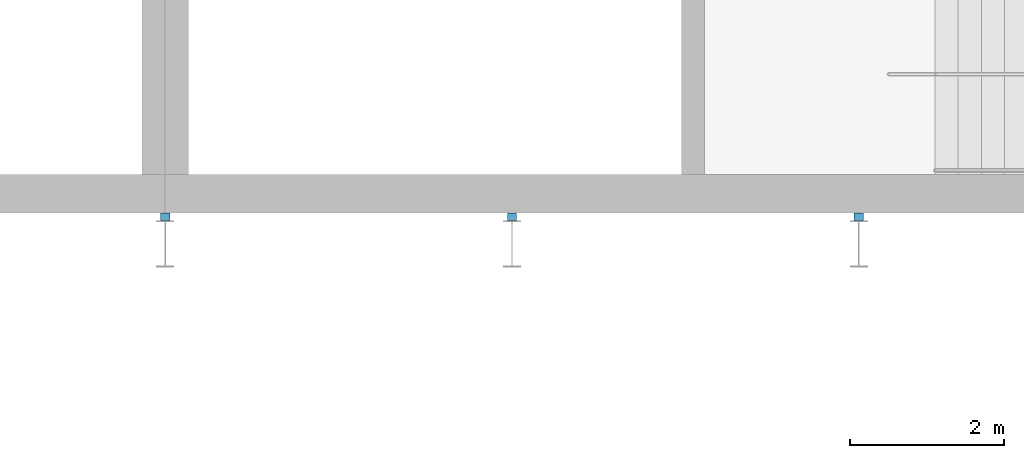
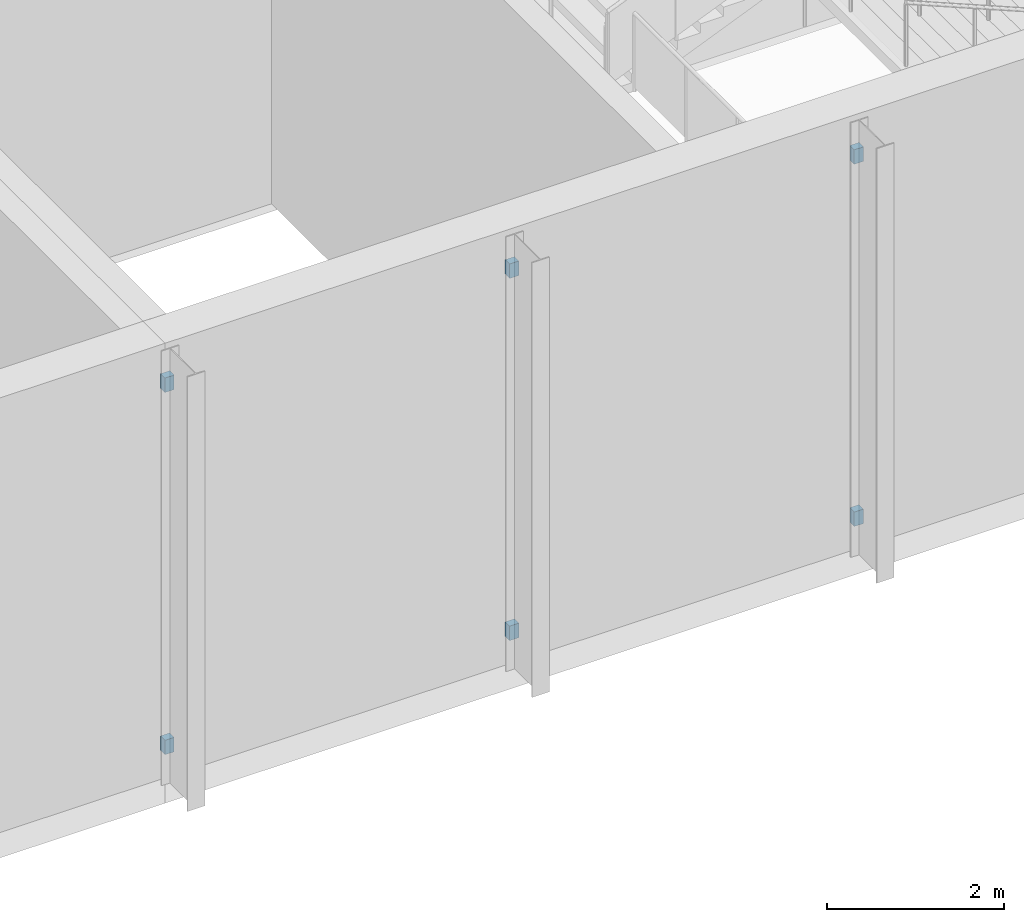
# One storey, part 57 of 89: 6 discrete accessories.
"""IFC4 building model written with IfcOpenShell, lengths in metres."""

from ifc_helpers import new_model, si_unit, direction, frame, origin, origin_2d, place, context, subcontext, project, spatial, rectangle, extrude, material, type_object, element, save


model = new_model("IFC4")

# Units and contexts
model_context = context("Model", 3, precision=1e-05, world=origin(), true_north=direction((0.0, 1.0)))
body_context = subcontext(model_context, "Body", "Model", "MODEL_VIEW")
ifc_project = project(units=[si_unit("LENGTHUNIT", "METRE"), si_unit("AREAUNIT", "SQUARE_METRE"), si_unit("VOLUMEUNIT", "CUBIC_METRE"), si_unit("PLANEANGLEUNIT", "RADIAN"), si_unit("MASSUNIT", "GRAM", prefix="KILO")], contexts=[model_context])

# Site, building, storey
site_placement = place(None, origin())
site = spatial("IfcSite", under=ifc_project, at=site_placement, CompositionType="ELEMENT")
building_placement = place(site_placement, origin())
building = spatial("IfcBuilding", under=site, at=building_placement, Name="Silverbay Arena", CompositionType="ELEMENT")
storey_placement = place(building_placement, frame((0.0, 0.0, 22.0)))
storey = spatial("IfcBuildingStorey", under=building, at=storey_placement, Name="L03", CompositionType="ELEMENT", Elevation=22.0)

# Discrete accessories
ifc_material = material(Name="Steel S355", Category="steel")
discrete_accessory_type = type_object("IfcDiscreteAccessoryType", Name="Steel bracket plate", PredefinedType="BRACKET", material=ifc_material)
for number, where, z_axis, x_axis, name in (
    (1, (162.0, 17.449951171875, 0.39990234375), (0.0, 0.0, 1.0), (1.0, 0.0, 0.0), "Fin bracket"),
    (2, (162.0, 17.449951171875, 5.39990234375), (0.0, 0.0, 1.0), (1.0, 0.0, 0.0), "Fin bracket"),
    (3, (166.5, 17.449951171875, 0.39990234375), (0.0, 0.0, 1.0), (1.0, 0.0, 0.0), "Fin bracket"),
    (4, (166.5, 17.449951171875, 5.39990234375), (0.0, 0.0, 1.0), (1.0, 0.0, 0.0), "Fin bracket"),
    (5, (171.0, 17.449951171875, 0.39990234375), (0.0, 0.0, 1.0), (1.0, 0.0, 0.0), "Fin bracket"),
    (6, (171.0, 17.449951171875, 5.39990234375), (0.0, 0.0, 1.0), (1.0, 0.0, 0.0), "Fin bracket"),
):
    element("IfcDiscreteAccessory", number, at=place(storey_placement, frame(where, z_axis=z_axis, x_axis=x_axis)), inside=storey, type_object=discrete_accessory_type, Name=name, PredefinedType="BRACKET", context=body_context, shape_type="SweptSolid", body=[
        extrude(rectangle(XDim=0.1201171875, YDim=0.10009765625, at=origin_2d()), origin(), (0.0, 0.0, 1.0), 0.199951171875),
    ])

save(model, "model.ifc")
